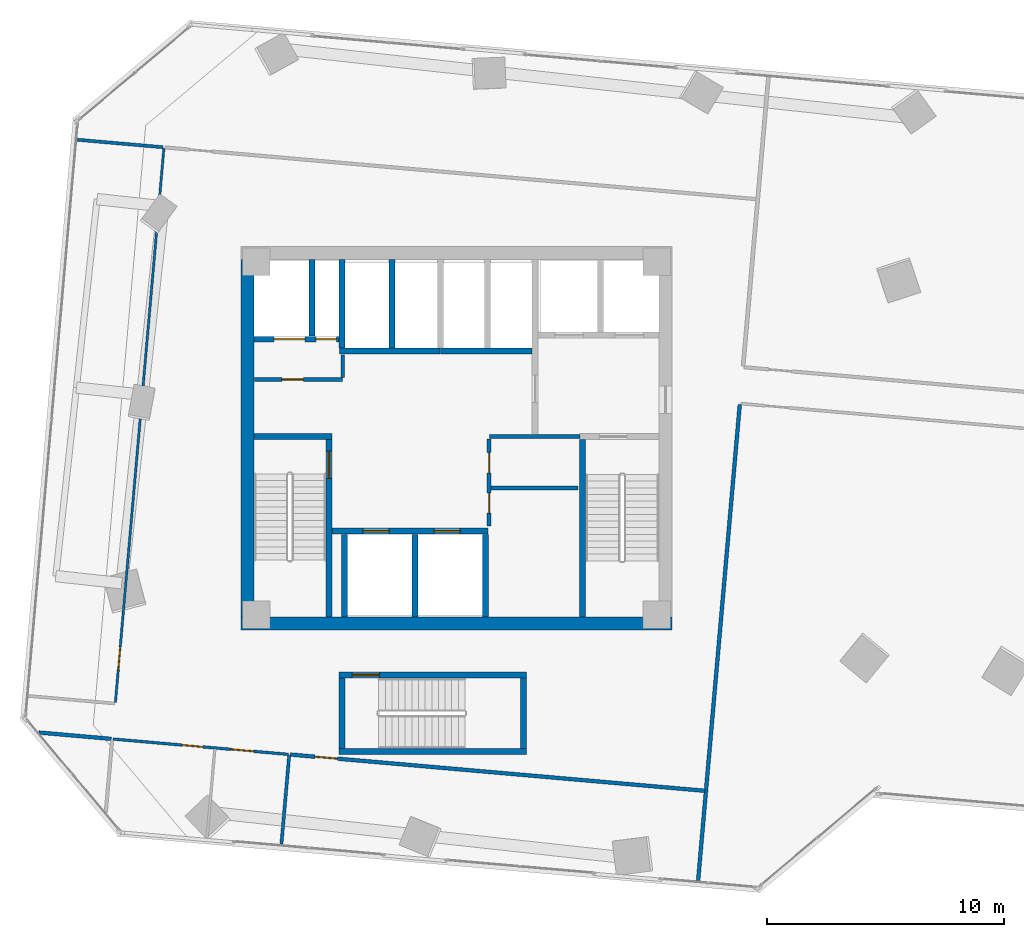
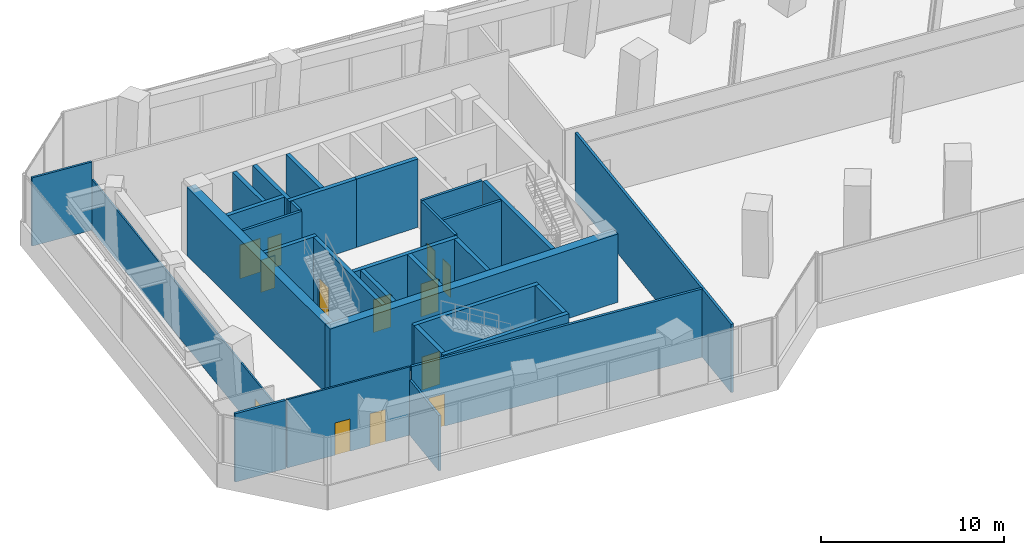
# One storey, part 20 of 24: 31 walls, 13 doors, 13 openings.
"""IFC4 building model written with IfcOpenShell, lengths in metres."""

from ifc_helpers import new_model, si_unit, direction, frame, frame_2d, origin, place, context, subcontext, project, spatial, rectangle, extrude, source, transform, mapped, material, layer, layer_set, type_object, element, fill, save


model = new_model("IFC4")

# Units and contexts
model_context = context("Model", 3, precision=1e-05, world=origin(), true_north=direction((0.0, 1.0)))
body_context = subcontext(model_context, "Body", "Model", "MODEL_VIEW")
ifc_project = project(units=[si_unit("LENGTHUNIT", "METRE"), si_unit("AREAUNIT", "SQUARE_METRE"), si_unit("VOLUMEUNIT", "CUBIC_METRE"), si_unit("PLANEANGLEUNIT", "RADIAN"), si_unit("MASSUNIT", "GRAM", prefix="KILO")], contexts=[model_context])

# Site, building, storey
site_placement = place(None, origin())
site = spatial("IfcSite", under=ifc_project, at=site_placement, CompositionType="ELEMENT")
building_placement = place(site_placement, origin())
building = spatial("IfcBuilding", under=site, at=building_placement, Name="Torre Montelarca", CompositionType="ELEMENT")
storey_placement = place(building_placement, frame((0.0, 0.0, 52.0)))
storey = spatial("IfcBuildingStorey", under=building, at=storey_placement, Name="L11", CompositionType="ELEMENT", Elevation=52.0)

# Wall, opening, door
ifc_material_1 = material(Name="Concrete C40/50", Category="concrete")
ifc_layer_1 = layer(ifc_material_1, 0.25, Name="Concrete C40/50", Category="concrete")
ifc_layer_set_1 = layer_set([ifc_layer_1], Name="Concrete C40/50")
wall_type_1 = type_object("IfcWallType", Name="CW-SHAFT-250", PredefinedType="SHEAR", material=ifc_layer_set_1)
wall_1_placement = place(storey_placement, frame((12.625, 24.4599609375, 0.0), z_axis=(0.0, 0.0, 1.0), x_axis=(0.0, 1.0, 0.0)))
wall_1 = element("IfcWall", 1, at=wall_1_placement, inside=storey, type_object=wall_type_1, Name="L11 Core Shear Wall SH-ST1-E", PredefinedType="SHEAR", context=body_context, shape_type="SweptSolid", body=[
    extrude(rectangle(XDim=7.489990234375, YDim=0.25, at=frame_2d((3.7451171875, 0.0))), origin(), (0.0, 0.0, 1.0), 4.56005859375),
])
opening_1_placement = place(wall_1_placement, frame((5.85009765625, 0.0, 0.0)))
opening_1 = element("IfcOpeningElement", 2, at=opening_1_placement, cuts=wall_1, Name="Opening FD-ST1", PredefinedType="OPENING", context=body_context, shape_type="SweptSolid", body=[
    extrude(rectangle(XDim=1.14990234375, YDim=2.199951171875, at=frame_2d((0.574951171875, 1.10009765625))), frame((0.0, 0.135009765625, 0.0), z_axis=(0.0, -1.0, 0.0), x_axis=(1.0, 0.0, 0.0)), (0.0, 0.0, 1.0), 0.27001953125),
])
ifc_material_2 = material(Name="Galvanized steel fire door", Category="steel")
door_type_1 = type_object("IfcDoorType", Name="DR-STAIR-115", OperationType="NOTDEFINED", PredefinedType="DOOR", material=ifc_material_2)
shared_shape_1 = source(origin(), body_context, "Body", "SweptSolid", [
    extrude(rectangle(XDim=1.14990234375, YDim=2.199951171875, at=frame_2d((0.574951171875, 1.10009765625))), frame((0.0, 0.02490234375, 0.0), z_axis=(0.0, -1.0, 0.0), x_axis=(1.0, 0.0, 0.0)), (0.0, 0.0, 1.0), 0.050048828125),
])
door_1_placement = place(opening_1_placement, origin())
door_1 = element("IfcDoor", 3, at=door_1_placement, inside=storey, type_object=door_type_1, Name="L11 Exit Stair ST1 Fire Door", OperationType="SINGLE_SWING_RIGHT", OverallHeight=2.199951171875, OverallWidth=1.14990234375, PredefinedType="DOOR", context=body_context, shape_type="MappedRepresentation", body=[
    mapped(shared_shape_1, transform((0.0, 0.0, 0.0), scale=1.0)),
])
fill(opening_1, door_1)

# Walls
wall_2_placement = place(storey_placement, frame((9.4599609375, 32.074951171875, 0.0), z_axis=(0.0, 0.0, 1.0), x_axis=(1.0, 0.0, 0.0)))
element("IfcWall", 4, at=wall_2_placement, inside=storey, type_object=wall_type_1, Name="L11 Core Shear Wall SH-ST1-N", PredefinedType="SHEAR", context=body_context, shape_type="SweptSolid", body=[
    extrude(rectangle(XDim=3.2900390625, YDim=0.25, at=frame_2d((1.64501953125, 0.0))), origin(), (0.0, 0.0, 1.0), 4.56005859375),
])
wall_3_placement = place(storey_placement, frame((23.31494140625, 24.4599609375, 0.0), z_axis=(0.0, 0.0, 1.0), x_axis=(0.0, 1.0, 0.0)))
element("IfcWall", 5, at=wall_3_placement, inside=storey, type_object=wall_type_1, Name="L11 Core Shear Wall SH-ST2-W", PredefinedType="SHEAR", context=body_context, shape_type="SweptSolid", body=[
    extrude(rectangle(XDim=7.489990234375, YDim=0.25, at=frame_2d((3.7451171875, 0.0))), origin(), (0.0, 0.0, 1.0), 4.56005859375),
])

# Wall, openings, doors
wall_4_placement = place(storey_placement, frame((9.4599609375, 36.179931640625, 0.0), z_axis=(0.0, 0.0, 1.0), x_axis=(1.0, 0.0, 0.0)))
wall_4 = element("IfcWall", 6, at=wall_4_placement, inside=storey, type_object=wall_type_1, Name="L11 Core Shear Wall SH-SV1-S", PredefinedType="SHEAR", context=body_context, shape_type="SweptSolid", body=[
    extrude(rectangle(XDim=3.7900390625, YDim=0.25, at=frame_2d((1.89501953125, 0.0))), origin(), (0.0, 0.0, 1.0), 4.56005859375),
])
opening_2_placement = place(wall_4_placement, frame((2.6201171875, 0.0, 0.0)))
opening_2 = element("IfcOpeningElement", 7, at=opening_2_placement, cuts=wall_4, Name="Opening FD-085", PredefinedType="OPENING", context=body_context, shape_type="SweptSolid", body=[
    extrude(rectangle(XDim=0.85009765625, YDim=2.10009765625, at=frame_2d((0.425048828125, 1.050048828125))), frame((0.0, 0.135009765625, 0.0), z_axis=(0.0, -1.0, 0.0), x_axis=(1.0, 0.0, 0.0)), (0.0, 0.0, 1.0), 0.27001953125),
])
opening_3_placement = place(wall_4_placement, frame((0.85009765625, 0.0, 0.0)))
opening_3 = element("IfcOpeningElement", 8, at=opening_3_placement, cuts=wall_4, Name="Opening LD-130", PredefinedType="OPENING", context=body_context, shape_type="SweptSolid", body=[
    extrude(rectangle(XDim=1.300048828125, YDim=2.25, at=frame_2d((0.64990234375, 1.125))), frame((0.0, 0.135009765625, 0.0), z_axis=(0.0, -1.0, 0.0), x_axis=(1.0, 0.0, 0.0)), (0.0, 0.0, 1.0), 0.27001953125),
])
ifc_material_3 = material(Name="Steel riser access fire door", Category="steel")
door_type_2 = type_object("IfcDoorType", Name="DR-RISER-085", OperationType="NOTDEFINED", PredefinedType="DOOR", material=ifc_material_3)
shared_shape_2 = source(origin(), body_context, "Body", "SweptSolid", [
    extrude(rectangle(XDim=0.85009765625, YDim=2.10009765625, at=frame_2d((0.425048828125, 1.050048828125))), frame((0.0, 0.02490234375, 0.0), z_axis=(0.0, -1.0, 0.0), x_axis=(1.0, 0.0, 0.0)), (0.0, 0.0, 1.0), 0.050048828125),
])
door_2_placement = place(opening_2_placement, origin())
door_2 = element("IfcDoor", 9, at=door_2_placement, inside=storey, type_object=door_type_2, Name="L11 Electrical Riser Shaft Access Door", OperationType="SINGLE_SWING_RIGHT", OverallHeight=2.10009765625, OverallWidth=0.85009765625, PredefinedType="DOOR", context=body_context, shape_type="MappedRepresentation", body=[
    mapped(shared_shape_2, transform((0.0, 0.0, 0.0), scale=1.0)),
])
fill(opening_2, door_2)
ifc_material_4 = material(Name="Brushed stainless steel AISI 316", Category="steel")
door_type_3 = type_object("IfcDoorType", Name="DR-LIFT-130", OperationType="SLIDING_TO_LEFT", PredefinedType="DOOR", material=ifc_material_4)
shared_shape_3 = source(origin(), body_context, "Body", "SweptSolid", [
    extrude(rectangle(XDim=1.300048828125, YDim=2.25, at=frame_2d((0.64990234375, 1.125))), frame((0.0, 0.02490234375, 0.0), z_axis=(0.0, -1.0, 0.0), x_axis=(1.0, 0.0, 0.0)), (0.0, 0.0, 1.0), 0.050048828125),
])
door_3_placement = place(opening_3_placement, origin())
door_3 = element("IfcDoor", 10, at=door_3_placement, inside=storey, type_object=door_type_3, Name="L11 Lift Landing Sliding Door SV-1", OperationType="SLIDING_TO_LEFT", OverallHeight=2.25, OverallWidth=1.300048828125, PredefinedType="DOOR", context=body_context, shape_type="MappedRepresentation", body=[
    mapped(shared_shape_3, transform((0.0, 0.0, 0.0), scale=1.0)),
])
fill(opening_3, door_3)

# Wall
wall_5_placement = place(storey_placement, frame((11.89990234375, 36.31005859375, 0.0), z_axis=(0.0, 0.0, 1.0), x_axis=(0.0, 1.0, 0.0)))
element("IfcWall", 11, at=wall_5_placement, inside=storey, type_object=wall_type_1, Name="L11 Core Shear Wall SH-SV1-E", PredefinedType="SHEAR", context=body_context, shape_type="SweptSolid", body=[
    extrude(rectangle(XDim=3.22998046875, YDim=0.25, at=frame_2d((1.614990234375, 0.0))), origin(), (0.0, 0.0, 1.0), 4.56005859375),
])

# Wall, openings, doors
wall_6_placement = place(storey_placement, frame((12.6298828125, 28.080078125, 0.0), z_axis=(0.0, 0.0, 1.0), x_axis=(1.0, 0.0, 0.0)))
wall_6 = element("IfcWall", 12, at=wall_6_placement, inside=storey, type_object=wall_type_1, Name="L11 Core Shear Wall SH-PLL-N", PredefinedType="SHEAR", context=body_context, shape_type="SweptSolid", body=[
    extrude(rectangle(XDim=6.710205078125, YDim=0.25, at=frame_2d((3.35498046875, 0.0))), origin(), (0.0, 0.0, 1.0), 4.56005859375),
])
opening_4_placement = place(wall_6_placement, frame((1.429931640625, 0.0, 0.0)))
opening_4 = element("IfcOpeningElement", 13, at=opening_4_placement, cuts=wall_6, Name="Opening LD-110", PredefinedType="OPENING", context=body_context, shape_type="SweptSolid", body=[
    extrude(rectangle(XDim=1.10009765625, YDim=2.199951171875, at=frame_2d((0.550048828125, 1.10009765625))), frame((0.0, 0.135009765625, 0.0), z_axis=(0.0, -1.0, 0.0), x_axis=(1.0, 0.0, 0.0)), (0.0, 0.0, 1.0), 0.27001953125),
])
opening_5_placement = place(wall_6_placement, frame((4.429931640625, 0.0, 0.0)))
opening_5 = element("IfcOpeningElement", 14, at=opening_5_placement, cuts=wall_6, Name="Opening LD-110", PredefinedType="OPENING", context=body_context, shape_type="SweptSolid", body=[
    extrude(rectangle(XDim=1.10009765625, YDim=2.199951171875, at=frame_2d((0.550048828125, 1.10009765625))), frame((0.0, 0.135009765625, 0.0), z_axis=(0.0, -1.0, 0.0), x_axis=(1.0, 0.0, 0.0)), (0.0, 0.0, 1.0), 0.27001953125),
])
door_type_4 = type_object("IfcDoorType", Name="DR-LIFT-110", OperationType="SLIDING_TO_LEFT", PredefinedType="DOOR", material=ifc_material_4)
shared_shape_4 = source(origin(), body_context, "Body", "SweptSolid", [
    extrude(rectangle(XDim=1.10009765625, YDim=2.199951171875, at=frame_2d((0.550048828125, 1.10009765625))), frame((0.0, 0.02490234375, 0.0), z_axis=(0.0, -1.0, 0.0), x_axis=(1.0, 0.0, 0.0)), (0.0, 0.0, 1.0), 0.050048828125),
])
door_4_placement = place(opening_4_placement, origin())
door_4 = element("IfcDoor", 15, at=door_4_placement, inside=storey, type_object=door_type_4, Name="L11 Lift Landing Sliding Door PL-L1", OperationType="SLIDING_TO_LEFT", OverallHeight=2.199951171875, OverallWidth=1.10009765625, PredefinedType="DOOR", context=body_context, shape_type="MappedRepresentation", body=[
    mapped(shared_shape_4, transform((0.0, 0.0, 0.0), scale=1.0)),
])
fill(opening_4, door_4)
door_5_placement = place(opening_5_placement, origin())
door_5 = element("IfcDoor", 16, at=door_5_placement, inside=storey, type_object=door_type_4, Name="L11 Lift Landing Sliding Door PL-L2", OperationType="SLIDING_TO_RIGHT", OverallHeight=2.199951171875, OverallWidth=1.10009765625, PredefinedType="DOOR", context=body_context, shape_type="MappedRepresentation", body=[
    mapped(shared_shape_4, transform((0.0, 0.0, 0.0), scale=1.0)),
])
fill(opening_5, door_5)

# Walls
for number, where, z_axis, x_axis, name in (
    (17, (13.280029296875, 24.4599609375, 0.0), (0.0, 0.0, 1.0), (0.0, 1.0, 0.0), "L11 Core Shear Wall SH-PLL-W"),
    (18, (16.25, 24.4599609375, 0.0), (0.0, 0.0, 1.0), (0.0, 1.0, 0.0), "L11 Core Shear Wall SH-PLL-M"),
    (19, (19.219970703125, 24.4599609375, 0.0), (0.0, 0.0, 1.0), (0.0, 1.0, 0.0), "L11 Core Shear Wall SH-PLL-E"),
):
    element("IfcWall", number, at=place(storey_placement, frame(where, z_axis=z_axis, x_axis=x_axis)), inside=storey, type_object=wall_type_1, Name=name, PredefinedType="SHEAR", context=body_context, shape_type="SweptSolid", body=[
        extrude(rectangle(XDim=3.489990234375, YDim=0.25, at=frame_2d((1.7451171875, 0.0))), origin(), (0.0, 0.0, 1.0), 4.56005859375),
    ])
wall_7_placement = place(storey_placement, frame((13.06005859375, 35.679931640625, 0.0), z_axis=(0.0, 0.0, 1.0), x_axis=(1.0, 0.0, 0.0)))
element("IfcWall", 20, at=wall_7_placement, inside=storey, type_object=wall_type_1, Name="L11 Core Shear Wall SH-PLM-S", PredefinedType="SHEAR", context=body_context, shape_type="SweptSolid", body=[
    extrude(rectangle(XDim=4.25, YDim=0.25, at=frame_2d((2.125, 0.0))), origin(), (0.0, 0.0, 1.0), 4.56005859375),
])
for number, where, z_axis, x_axis, name in (
    (21, (13.179931640625, 35.81005859375, 0.0), (0.0, 0.0, 1.0), (0.0, 1.0, 0.0), "L11 Core Shear Wall SH-PLM-W"),
    (22, (15.280029296875, 35.81005859375, 0.0), (0.0, 0.0, 1.0), (0.0, 1.0, 0.0), "L11 Core Shear Wall SH-PLM-M"),
):
    element("IfcWall", number, at=place(storey_placement, frame(where, z_axis=z_axis, x_axis=x_axis)), inside=storey, type_object=wall_type_1, Name=name, PredefinedType="SHEAR", context=body_context, shape_type="SweptSolid", body=[
        extrude(rectangle(XDim=3.72998046875, YDim=0.25, at=frame_2d((1.864990234375, 0.0))), origin(), (0.0, 0.0, 1.0), 4.56005859375),
    ])
wall_8_placement = place(storey_placement, frame((17.320068359375, 35.679931640625, 0.0), z_axis=(0.0, 0.0, 1.0), x_axis=(1.0, 0.0, 0.0)))
element("IfcWall", 23, at=wall_8_placement, inside=storey, type_object=wall_type_1, Name="L11 Core Shear Wall SH-PLH-S", PredefinedType="SHEAR", context=body_context, shape_type="SweptSolid", body=[
    extrude(rectangle(XDim=3.869873046875, YDim=0.25, at=frame_2d((1.93505859375, 0.0))), origin(), (0.0, 0.0, 1.0), 4.56005859375),
])
for number, where, z_axis, x_axis, name in (
    (24, (13.175048828125, 18.89990234375, 0.0), (0.0, 0.0, 1.0), (0.0, 1.0, 0.0), "L11 Core Shear Wall SH-ST3-W"),
    (25, (20.824951171875, 18.89990234375, 0.0), (0.0, 0.0, 1.0), (0.0, 1.0, 0.0), "L11 Core Shear Wall SH-ST3-E"),
):
    element("IfcWall", number, at=place(storey_placement, frame(where, z_axis=z_axis, x_axis=x_axis)), inside=storey, type_object=wall_type_1, Name=name, PredefinedType="SHEAR", context=body_context, shape_type="SweptSolid", body=[
        extrude(rectangle(XDim=2.989990234375, YDim=0.25, at=frame_2d((1.4951171875, 0.0))), origin(), (0.0, 0.0, 1.0), 4.56005859375),
    ])
wall_9_placement = place(storey_placement, frame((13.050048828125, 18.77490234375, 0.0), z_axis=(0.0, 0.0, 1.0), x_axis=(1.0, 0.0, 0.0)))
element("IfcWall", 26, at=wall_9_placement, inside=storey, type_object=wall_type_1, Name="L11 Core Shear Wall SH-ST3-S", PredefinedType="SHEAR", context=body_context, shape_type="SweptSolid", body=[
    extrude(rectangle(XDim=7.89990234375, YDim=0.25, at=frame_2d((3.949951171875, 0.0))), origin(), (0.0, 0.0, 1.0), 4.56005859375),
])

# Wall, opening, door
wall_10_placement = place(storey_placement, frame((13.050048828125, 22.014892578125, 0.0), z_axis=(0.0, 0.0, 1.0), x_axis=(1.0, 0.0, 0.0)))
wall_10 = element("IfcWall", 27, at=wall_10_placement, inside=storey, type_object=wall_type_1, Name="L11 Core Shear Wall SH-ST3-N", PredefinedType="SHEAR", context=body_context, shape_type="SweptSolid", body=[
    extrude(rectangle(XDim=7.89990234375, YDim=0.25, at=frame_2d((3.949951171875, 0.0))), origin(), (0.0, 0.0, 1.0), 4.56005859375),
])
opening_6_placement = place(wall_10_placement, frame((0.550048828125, 0.0, 0.0)))
opening_6 = element("IfcOpeningElement", 28, at=opening_6_placement, cuts=wall_10, Name="Opening FD-ST1", PredefinedType="OPENING", context=body_context, shape_type="SweptSolid", body=[
    extrude(rectangle(XDim=1.14990234375, YDim=2.199951171875, at=frame_2d((0.574951171875, 1.10009765625))), frame((0.0, 0.135009765625, 0.0), z_axis=(0.0, -1.0, 0.0), x_axis=(1.0, 0.0, 0.0)), (0.0, 0.0, 1.0), 0.27001953125),
])
door_6_placement = place(opening_6_placement, origin())
door_6 = element("IfcDoor", 29, at=door_6_placement, inside=storey, type_object=door_type_1, Name="L11 Exit Stair ST3 Fire Door", OperationType="SINGLE_SWING_LEFT", OverallHeight=2.199951171875, OverallWidth=1.14990234375, PredefinedType="DOOR", context=body_context, shape_type="MappedRepresentation", body=[
    mapped(shared_shape_1, transform((0.0, 0.0, 0.0), scale=1.0)),
])
fill(opening_6, door_6)

# Walls
ifc_material_5 = material(Name="Concrete C70/85", Category="concrete")
ifc_layer_2 = layer(ifc_material_5, 0.550048828125, Name="Concrete C70/85", Category="concrete")
ifc_layer_set_2 = layer_set([ifc_layer_2], Name="Concrete C70/85")
wall_type_2 = type_object("IfcWallType", Name="CW-SHEAR-550", PredefinedType="SHEAR", material=ifc_layer_set_2)
wall_11_placement = place(storey_placement, frame((9.175048828125, 24.449951171875, 0.0), z_axis=(0.0, 0.0, 1.0), x_axis=(0.0, 1.0, 0.0)))
element("IfcWall", 30, at=wall_11_placement, inside=storey, type_object=wall_type_2, Name="L11 Core Shear Wall CW-W", PredefinedType="SHEAR", context=body_context, shape_type="SweptSolid", body=[
    extrude(rectangle(XDim=15.10009765625, YDim=0.550048828125, at=frame_2d((7.550048828125, 0.0))), origin(), (0.0, 0.0, 1.0), 4.56005859375),
])
wall_12_placement = place(storey_placement, frame((8.89990234375, 24.175048828125, 0.0), z_axis=(0.0, 0.0, 1.0), x_axis=(1.0, 0.0, 0.0)))
element("IfcWall", 31, at=wall_12_placement, inside=storey, type_object=wall_type_2, Name="L11 Core Shear Wall CW-S1", PredefinedType="SHEAR", context=body_context, shape_type="SweptSolid", body=[
    extrude(rectangle(XDim=18.2001953125, YDim=0.550048828125, at=frame_2d((9.10009765625, 0.0))), origin(), (0.0, 0.0, 1.0), 4.56005859375),
])

# Wall, opening, door
ifc_material_6 = material(Name="Gypsum plasterboard on steel stud", Category="steel")
ifc_layer_3 = layer(ifc_material_6, 0.159912109375, Name="Gypsum plasterboard on steel stud", Category="steel")
ifc_layer_set_3 = layer_set([ifc_layer_3], Name="Gypsum plasterboard on steel stud")
wall_type_3 = type_object("IfcWallType", Name="PW-FIRE-160", PredefinedType="PARTITIONING", material=ifc_layer_set_3)
wall_13_placement = place(storey_placement, frame((9.489990234375, 34.47998046875, 0.0), z_axis=(0.0, 0.0, 1.0), x_axis=(1.0, 0.0, 0.0)))
wall_13 = element("IfcWall", 32, at=wall_13_placement, inside=storey, type_object=wall_type_3, Name="L11 Interior Partition CW-L11-SVS", PredefinedType="PARTITIONING", context=body_context, shape_type="SweptSolid", body=[
    extrude(rectangle(XDim=3.699951171875, YDim=0.159912109375, at=frame_2d((1.85009765625, 0.0))), origin(), (0.0, 0.0, 1.0), 4.56005859375),
])
opening_7_placement = place(wall_13_placement, frame((1.14990234375, 0.0, 0.0)))
opening_7 = element("IfcOpeningElement", 33, at=opening_7_placement, cuts=wall_13, Name="Opening FD-090", PredefinedType="OPENING", context=body_context, shape_type="SweptSolid", body=[
    extrude(rectangle(XDim=0.89990234375, YDim=2.14990234375, at=frame_2d((0.449951171875, 1.074951171875))), frame((0.0, 0.08984375, 0.0), z_axis=(0.0, -1.0, 0.0), x_axis=(1.0, 0.0, 0.0)), (0.0, 0.0, 1.0), 0.179931640625),
])
ifc_material_7 = material(Name="Steel service fire door", Category="steel")
door_type_5 = type_object("IfcDoorType", Name="DR-FIRE-090", OperationType="NOTDEFINED", PredefinedType="DOOR", material=ifc_material_7)
shared_shape_5 = source(origin(), body_context, "Body", "SweptSolid", [
    extrude(rectangle(XDim=0.89990234375, YDim=2.14990234375, at=frame_2d((0.449951171875, 1.074951171875))), frame((0.0, 0.02490234375, 0.0), z_axis=(0.0, -1.0, 0.0), x_axis=(1.0, 0.0, 0.0)), (0.0, 0.0, 1.0), 0.050048828125),
])
door_7_placement = place(opening_7_placement, origin())
door_7 = element("IfcDoor", 34, at=door_7_placement, inside=storey, type_object=door_type_5, Name="L11 Interior Door 01", OperationType="SINGLE_SWING_RIGHT", OverallHeight=2.14990234375, OverallWidth=0.89990234375, PredefinedType="DOOR", context=body_context, shape_type="MappedRepresentation", body=[
    mapped(shared_shape_5, transform((0.0, 0.0, 0.0), scale=1.0)),
])
fill(opening_7, door_7)

# Walls
wall_14_placement = place(storey_placement, frame((13.199951171875, 34.570068359375, 0.0), z_axis=(0.0, 0.0, 1.0), x_axis=(0.0, 1.0, 0.0)))
element("IfcWall", 35, at=wall_14_placement, inside=storey, type_object=wall_type_3, Name="L11 Interior Partition CW-L11-SVE", PredefinedType="PARTITIONING", context=body_context, shape_type="SweptSolid", body=[
    extrude(rectangle(XDim=0.93994140625, YDim=0.159912109375, at=frame_2d((0.469970703125, 0.0))), origin(), (0.0, 0.0, 1.0), 4.56005859375),
])
wall_15_placement = place(storey_placement, frame((19.389892578125, 32.080078125, 0.0), z_axis=(0.0, 0.0, 1.0), x_axis=(1.0, 0.0, 0.0)))
element("IfcWall", 36, at=wall_15_placement, inside=storey, type_object=wall_type_3, Name="L11 Interior Partition CW-L11-SEN", PredefinedType="PARTITIONING", context=body_context, shape_type="SweptSolid", body=[
    extrude(rectangle(XDim=3.820068359375, YDim=0.159912109375, at=frame_2d((1.91015625, 0.0))), origin(), (0.0, 0.0, 1.0), 4.56005859375),
])

# Wall, openings, doors
wall_16_placement = place(storey_placement, frame((19.3798828125, 28.2900390625, 0.0), z_axis=(0.0, 0.0, 1.0), x_axis=(0.0, 1.0, 0.0)))
wall_16 = element("IfcWall", 37, at=wall_16_placement, inside=storey, type_object=wall_type_3, Name="L11 Interior Partition CW-L11-SEW", PredefinedType="PARTITIONING", context=body_context, shape_type="SweptSolid", body=[
    extrude(rectangle(XDim=3.669921875, YDim=0.159912109375, at=frame_2d((1.8349609375, 0.0))), origin(), (0.0, 0.0, 1.0), 4.56005859375),
])
opening_8_placement = place(wall_16_placement, frame((0.550048828125, 0.0, 0.0)))
opening_8 = element("IfcOpeningElement", 38, at=opening_8_placement, cuts=wall_16, Name="Opening FD-085", PredefinedType="OPENING", context=body_context, shape_type="SweptSolid", body=[
    extrude(rectangle(XDim=0.85009765625, YDim=2.10009765625, at=frame_2d((0.425048828125, 1.050048828125))), frame((0.0, 0.08984375, 0.0), z_axis=(0.0, -1.0, 0.0), x_axis=(1.0, 0.0, 0.0)), (0.0, 0.0, 1.0), 0.179931640625),
])
opening_9_placement = place(wall_16_placement, frame((2.25, 0.0, 0.0)))
opening_9 = element("IfcOpeningElement", 39, at=opening_9_placement, cuts=wall_16, Name="Opening FD-085", PredefinedType="OPENING", context=body_context, shape_type="SweptSolid", body=[
    extrude(rectangle(XDim=0.85009765625, YDim=2.10009765625, at=frame_2d((0.425048828125, 1.050048828125))), frame((0.0, 0.08984375, 0.0), z_axis=(0.0, -1.0, 0.0), x_axis=(1.0, 0.0, 0.0)), (0.0, 0.0, 1.0), 0.179931640625),
])
door_8_placement = place(opening_8_placement, origin())
door_8 = element("IfcDoor", 40, at=door_8_placement, inside=storey, type_object=door_type_2, Name="L11 Interior Door 02", OperationType="SINGLE_SWING_LEFT", OverallHeight=2.10009765625, OverallWidth=0.85009765625, PredefinedType="DOOR", context=body_context, shape_type="MappedRepresentation", body=[
    mapped(shared_shape_2, transform((0.0, 0.0, 0.0), scale=1.0)),
])
fill(opening_8, door_8)
door_9_placement = place(opening_9_placement, origin())
door_9 = element("IfcDoor", 41, at=door_9_placement, inside=storey, type_object=door_type_2, Name="L11 Interior Door 03", OperationType="SINGLE_SWING_RIGHT", OverallHeight=2.10009765625, OverallWidth=0.85009765625, PredefinedType="DOOR", context=body_context, shape_type="MappedRepresentation", body=[
    mapped(shared_shape_2, transform((0.0, 0.0, 0.0), scale=1.0)),
])
fill(opening_9, door_9)

# Walls
wall_17_placement = place(storey_placement, frame((19.419921875, 29.89990234375, 0.0), z_axis=(0.0, 0.0, 1.0), x_axis=(1.0, 0.0, 0.0)))
element("IfcWall", 42, at=wall_17_placement, inside=storey, type_object=wall_type_3, Name="L11 Interior Partition CW-L11-SEM", PredefinedType="PARTITIONING", context=body_context, shape_type="SweptSolid", body=[
    extrude(rectangle(XDim=3.719970703125, YDim=0.159912109375, at=frame_2d((1.85986328125, 0.0))), origin(), (0.0, 0.0, 1.0), 4.56005859375),
])
wall_18_placement = place(storey_placement, frame((0.385498046875, 19.5830078125, 0.0), z_axis=(0.0, 0.0, 1.0), x_axis=(0.996195275171, -0.087149146451, 0.0)))
element("IfcWall", 43, at=wall_18_placement, inside=storey, type_object=wall_type_3, Name="L11 Interior Partition W-L11-SOCCW", PredefinedType="PARTITIONING", context=body_context, shape_type="SweptSolid", body=[
    extrude(rectangle(XDim=3.06201171875, YDim=0.159912109375, at=frame_2d((1.531005859375, 0.0))), origin(), (0.0, 0.0, 1.0), 4.56005859375),
])

# Wall, opening, door
wall_19_placement = place(storey_placement, frame((10.98681640625, 18.655517578125, 0.0), z_axis=(0.0, 0.0, 1.0), x_axis=(0.99619508988, -0.087151264471, 0.0)))
wall_19 = element("IfcWall", 44, at=wall_19_placement, inside=storey, type_object=wall_type_3, Name="L11 Interior Partition W-L11-SOCCN", PredefinedType="PARTITIONING", context=body_context, shape_type="SweptSolid", body=[
    extrude(rectangle(XDim=17.570068359375, YDim=0.159912109375, at=frame_2d((8.78515625, 0.0))), origin(), (0.0, 0.0, 1.0), 4.56005859375),
])
opening_10_placement = place(wall_19_placement, frame((1.050048828125, 0.0, 0.0)))
opening_10 = element("IfcOpeningElement", 45, at=opening_10_placement, cuts=wall_19, Name="Opening FD-095", PredefinedType="OPENING", context=body_context, shape_type="SweptSolid", body=[
    extrude(rectangle(XDim=0.949951171875, YDim=2.14990234375, at=frame_2d((0.47509765625, 1.074951171875))), frame((0.0, 0.08984375, 0.0), z_axis=(0.0, -1.0, 0.0), x_axis=(1.0, 0.0, 0.0)), (0.0, 0.0, 1.0), 0.179931640625),
])
ifc_material_8 = material(Name="Timber fire-rated room door", Category="wood")
door_type_6 = type_object("IfcDoorType", Name="DR-FIRE-095", OperationType="NOTDEFINED", PredefinedType="DOOR", material=ifc_material_8)
shared_shape_6 = source(origin(), body_context, "Body", "SweptSolid", [
    extrude(rectangle(XDim=0.949951171875, YDim=2.14990234375, at=frame_2d((0.47509765625, 1.074951171875))), frame((0.0, 0.02490234375, 0.0), z_axis=(0.0, -1.0, 0.0), x_axis=(1.0, 0.0, 0.0)), (0.0, 0.0, 1.0), 0.050048828125),
])
door_10_placement = place(opening_10_placement, origin())
door_10 = element("IfcDoor", 46, at=door_10_placement, inside=storey, type_object=door_type_6, Name="L11 Interior Door 06", OperationType="SINGLE_SWING_RIGHT", OverallHeight=2.14990234375, OverallWidth=0.949951171875, PredefinedType="DOOR", context=body_context, shape_type="MappedRepresentation", body=[
    mapped(shared_shape_6, transform((0.0, 0.0, 0.0), scale=1.0)),
])
fill(opening_10, door_10)

# Wall
wall_20_placement = place(storey_placement, frame((28.197998046875, 13.3251953125, 0.0), z_axis=(0.0, 0.0, 1.0), x_axis=(0.087154794008, 0.996194781095, 0.0)))
element("IfcWall", 47, at=wall_20_placement, inside=storey, type_object=wall_type_3, Name="L11 Interior Partition W-L11-ECS", PredefinedType="PARTITIONING", context=body_context, shape_type="SweptSolid", body=[
    extrude(rectangle(XDim=20.18017578125, YDim=0.159912109375, at=frame_2d((10.090087890625, 0.0))), origin(), (0.0, 0.0, 1.0), 4.56005859375),
])

# Wall, opening, door
ifc_material_9 = material(Name="Acoustic laminated glass partition", Category="glass")
ifc_layer_4 = layer(ifc_material_9, 0.10009765625, Name="Acoustic laminated glass partition", Category="glass")
ifc_layer_set_4 = layer_set([ifc_layer_4], Name="Acoustic laminated glass partition")
wall_type_4 = type_object("IfcWallType", Name="PW-GLAZ-100", PredefinedType="PARTITIONING", material=ifc_layer_set_4)
wall_21_placement = place(storey_placement, frame((3.60986328125, 20.8466796875, 0.0), z_axis=(0.0, 0.0, 1.0), x_axis=(0.087153664928, 0.996194879875, 0.0)))
wall_21 = element("IfcWall", 48, at=wall_21_placement, inside=storey, type_object=wall_type_4, Name="L11 Interior Partition W-L11-WWGE", PredefinedType="PARTITIONING", context=body_context, shape_type="SweptSolid", body=[
    extrude(rectangle(XDim=23.480224609375, YDim=0.10009765625, at=frame_2d((11.740234375, 0.0))), origin(), (0.0, 0.0, 1.0), 3.39501953125),
])
opening_11_placement = place(wall_21_placement, frame((1.39990234375, 0.0, 0.0)))
opening_11 = element("IfcOpeningElement", 49, at=opening_11_placement, cuts=wall_21, Name="Opening ID-095", PredefinedType="OPENING", context=body_context, shape_type="SweptSolid", body=[
    extrude(rectangle(XDim=0.949951171875, YDim=2.14990234375, at=frame_2d((0.47509765625, 1.074951171875))), frame((0.0, 0.06005859375, 0.0), z_axis=(0.0, -1.0, 0.0), x_axis=(1.0, 0.0, 0.0)), (0.0, 0.0, 1.0), 0.1201171875),
])
ifc_material_10 = material(Name="Hardwood acoustic timber veneer", Category="wood")
door_type_7 = type_object("IfcDoorType", Name="DR-INT-095", OperationType="NOTDEFINED", PredefinedType="DOOR", material=ifc_material_10)
shared_shape_7 = source(origin(), body_context, "Body", "SweptSolid", [
    extrude(rectangle(XDim=0.949951171875, YDim=2.14990234375, at=frame_2d((0.47509765625, 1.074951171875))), frame((0.0, 0.02490234375, 0.0), z_axis=(0.0, -1.0, 0.0), x_axis=(1.0, 0.0, 0.0)), (0.0, 0.0, 1.0), 0.050048828125),
])
door_11_placement = place(opening_11_placement, origin())
door_11 = element("IfcDoor", 50, at=door_11_placement, inside=storey, type_object=door_type_7, Name="L11 Interior Door 08", OperationType="SINGLE_SWING_LEFT", OverallHeight=2.14990234375, OverallWidth=0.949951171875, PredefinedType="DOOR", context=body_context, shape_type="MappedRepresentation", body=[
    mapped(shared_shape_7, transform((0.0, 0.0, 0.0), scale=1.0)),
])
fill(opening_11, door_11)

# Wall, openings, doors
ifc_layer_5 = layer(ifc_material_6, 0.114990234375, Name="Gypsum plasterboard on steel stud", Category="steel")
ifc_layer_set_5 = layer_set([ifc_layer_5], Name="Gypsum plasterboard on steel stud")
wall_type_5 = type_object("IfcWallType", Name="PW-PART-115", PredefinedType="PARTITIONING", material=ifc_layer_set_5)
wall_22_placement = place(storey_placement, frame((3.515380859375, 19.30908203125, 0.0), z_axis=(0.0, 0.0, 1.0), x_axis=(0.99619725236, -0.0871265424, 0.0)))
wall_22 = element("IfcWall", 51, at=wall_22_placement, inside=storey, type_object=wall_type_5, Name="L11 Interior Partition W-L11-WCN", PredefinedType="PARTITIONING", context=body_context, shape_type="SweptSolid", body=[
    extrude(rectangle(XDim=7.420166015625, YDim=0.114990234375, at=frame_2d((3.7099609375, 0.0))), origin(), (0.0, 0.0, 1.0), 4.56005859375),
])
opening_12_placement = place(wall_22_placement, frame((2.89990234375, 0.0, 0.0)))
opening_12 = element("IfcOpeningElement", 52, at=opening_12_placement, cuts=wall_22, Name="Opening ID-090", PredefinedType="OPENING", context=body_context, shape_type="SweptSolid", body=[
    extrude(rectangle(XDim=0.89990234375, YDim=2.14990234375, at=frame_2d((0.449951171875, 1.074951171875))), frame((0.0, 0.0673828125, 0.0), z_axis=(0.0, -1.0, 0.0), x_axis=(1.0, 0.0, 0.0)), (0.0, 0.0, 1.0), 0.135009765625),
])
opening_13_placement = place(wall_22_placement, frame((5.0, 0.0, 0.0)))
opening_13 = element("IfcOpeningElement", 53, at=opening_13_placement, cuts=wall_22, Name="Opening ID-095", PredefinedType="OPENING", context=body_context, shape_type="SweptSolid", body=[
    extrude(rectangle(XDim=0.949951171875, YDim=2.14990234375, at=frame_2d((0.47509765625, 1.074951171875))), frame((0.0, 0.0673828125, 0.0), z_axis=(0.0, -1.0, 0.0), x_axis=(1.0, 0.0, 0.0)), (0.0, 0.0, 1.0), 0.135009765625),
])
door_type_8 = type_object("IfcDoorType", Name="DR-INT-090", OperationType="NOTDEFINED", PredefinedType="DOOR", material=ifc_material_10)
shared_shape_8 = source(origin(), body_context, "Body", "SweptSolid", [
    extrude(rectangle(XDim=0.89990234375, YDim=2.14990234375, at=frame_2d((0.449951171875, 1.074951171875))), frame((0.0, 0.02490234375, 0.0), z_axis=(0.0, -1.0, 0.0), x_axis=(1.0, 0.0, 0.0)), (0.0, 0.0, 1.0), 0.050048828125),
])
door_12_placement = place(opening_12_placement, origin())
door_12 = element("IfcDoor", 54, at=door_12_placement, inside=storey, type_object=door_type_8, Name="L11 Interior Door 04", OperationType="SINGLE_SWING_LEFT", OverallHeight=2.14990234375, OverallWidth=0.89990234375, PredefinedType="DOOR", context=body_context, shape_type="MappedRepresentation", body=[
    mapped(shared_shape_8, transform((0.0, 0.0, 0.0), scale=1.0)),
])
fill(opening_12, door_12)
door_13_placement = place(opening_13_placement, origin())
door_13 = element("IfcDoor", 55, at=door_13_placement, inside=storey, type_object=door_type_7, Name="L11 Interior Door 05", OperationType="SINGLE_SWING_RIGHT", OverallHeight=2.14990234375, OverallWidth=0.949951171875, PredefinedType="DOOR", context=body_context, shape_type="MappedRepresentation", body=[
    mapped(shared_shape_7, transform((0.0, 0.0, 0.0), scale=1.0)),
])
fill(opening_13, door_13)

# Walls
ifc_layer_6 = layer(ifc_material_6, 0.135009765625, Name="Gypsum plasterboard on steel stud", Category="steel")
ifc_layer_set_6 = layer_set([ifc_layer_6], Name="Gypsum plasterboard on steel stud")
wall_type_6 = type_object("IfcWallType", Name="PW-PART-135", PredefinedType="PARTITIONING", material=ifc_layer_set_6)
wall_23_placement = place(storey_placement, frame((10.614990234375, 14.86328125, 0.0), z_axis=(0.0, 0.0, 1.0), x_axis=(0.087160523959, 0.996194279778, 0.0)))
element("IfcWall", 56, at=wall_23_placement, inside=storey, type_object=wall_type_6, Name="L11 Interior Partition W-L11-SWCDIV", PredefinedType="PARTITIONING", context=body_context, shape_type="SweptSolid", body=[
    extrude(rectangle(XDim=3.770263671875, YDim=0.135009765625, at=frame_2d((1.88525390625, 0.0))), origin(), (0.0, 0.0, 1.0), 3.695068359375),
])
wall_24_placement = place(storey_placement, frame((2.003662109375, 44.59716796875, 0.0), z_axis=(0.0, 0.0, 1.0), x_axis=(0.996194520424, -0.087157773474, 0.0)))
element("IfcWall", 57, at=wall_24_placement, inside=storey, type_object=wall_type_6, Name="L11 Interior Partition W-L11-WWGN", PredefinedType="PARTITIONING", context=body_context, shape_type="SweptSolid", body=[
    extrude(rectangle(XDim=3.63037109375, YDim=0.135009765625, at=frame_2d((1.815185546875, 0.0))), origin(), (0.0, 0.0, 1.0), 4.56005859375),
])

save(model, "model.ifc")
